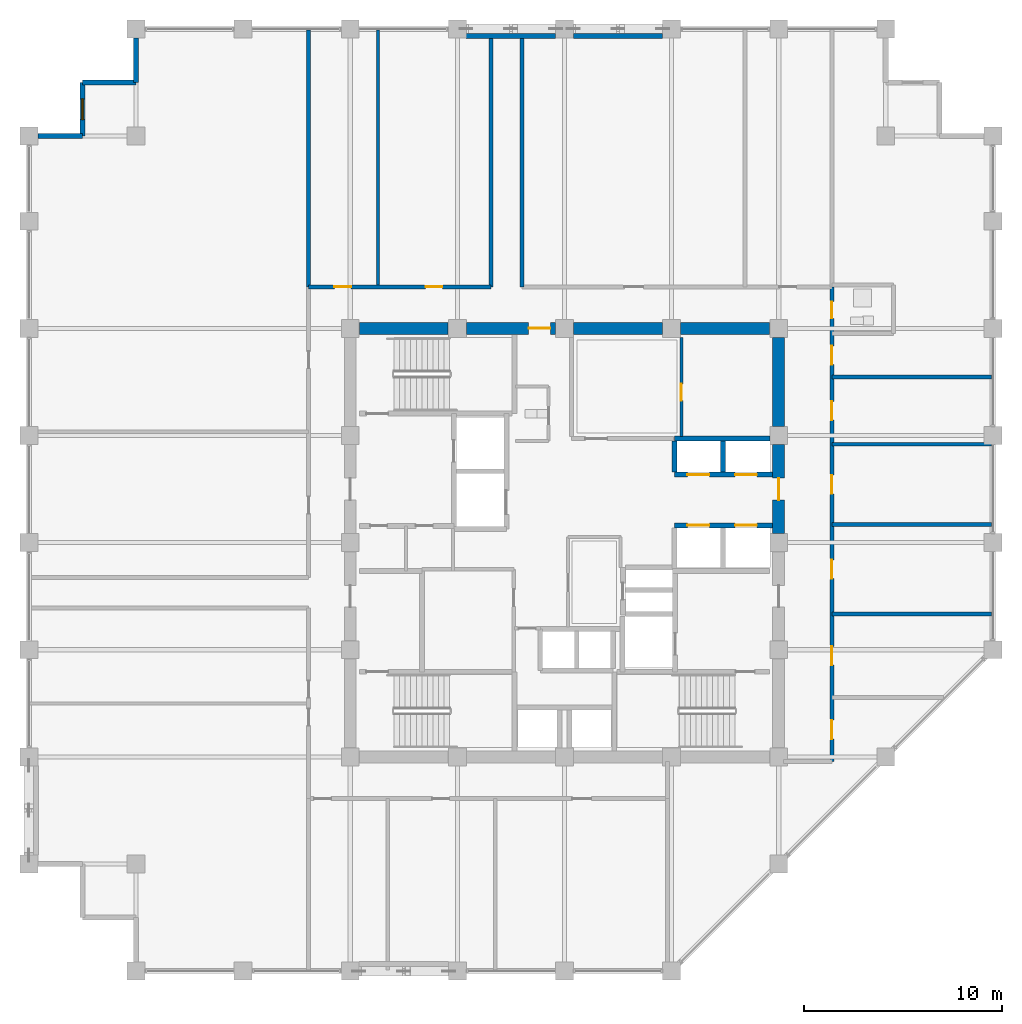
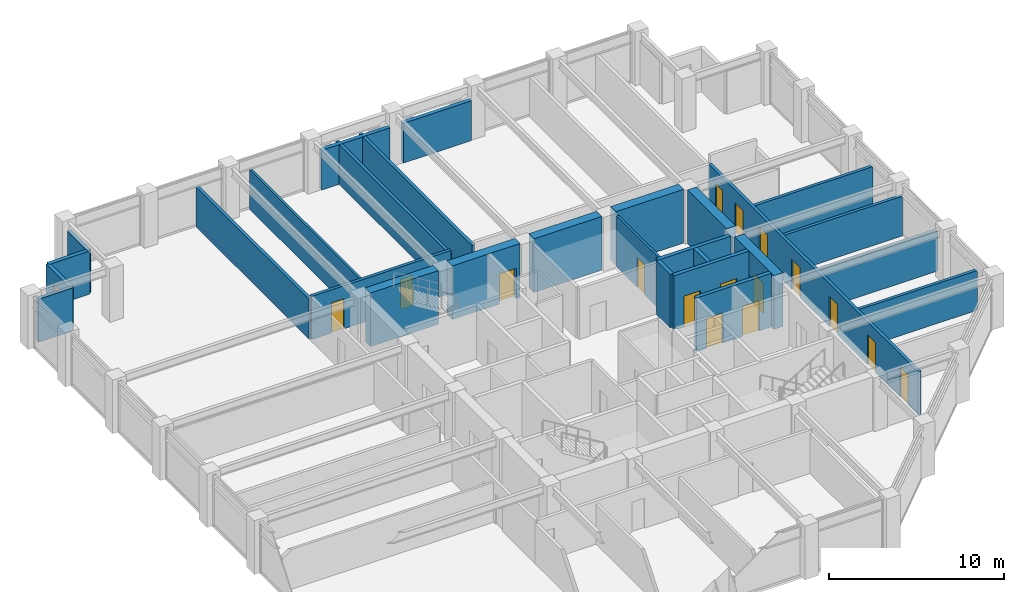
# One storey, part 29 of 32: 28 walls, 16 doors, 1 window, 17 openings.
"""IFC4 building model written with IfcOpenShell, lengths in metres."""

from ifc_helpers import new_model, si_unit, direction, frame, frame_2d, origin, place, context, subcontext, project, spatial, rectangle, extrude, material, layer, layer_set, type_object, element, fill, save


model = new_model("IFC4")

# Units and contexts
model_context = context("Model", 3, precision=1e-05, world=origin(), true_north=direction((0.0, 1.0)))
body_context = subcontext(model_context, "Body", "Model", "MODEL_VIEW")
ifc_project = project(units=[si_unit("LENGTHUNIT", "METRE"), si_unit("AREAUNIT", "SQUARE_METRE"), si_unit("VOLUMEUNIT", "CUBIC_METRE"), si_unit("PLANEANGLEUNIT", "RADIAN"), si_unit("MASSUNIT", "GRAM", prefix="KILO")], contexts=[model_context])

# Site, building, storey
site_placement = place(None, origin())
site = spatial("IfcSite", under=ifc_project, at=site_placement, CompositionType="ELEMENT")
building_placement = place(site_placement, origin())
building = spatial("IfcBuilding", under=site, at=building_placement, Name="Surkhivell Harbour Commons", CompositionType="ELEMENT")
storey_placement = place(building_placement, frame((0.0, 0.0, 204.75)))
storey = spatial("IfcBuildingStorey", under=building, at=storey_placement, Name="L53", CompositionType="ELEMENT", Elevation=204.75)

# Wall
ifc_material_1 = material(Name="Concrete C60/75", Category="concrete")
ifc_layer_1 = layer(ifc_material_1, 0.60009765625)
ifc_layer_set_1 = layer_set([ifc_layer_1], Name="Concrete C60/75")
wall_type_1 = type_object("IfcWallType", Name="WAL-CORE-600", PredefinedType="SHEAR", material=ifc_layer_set_1)
wall_1_placement = place(storey_placement, frame((-10.340087890625, 10.800048828125, 0.0), z_axis=(0.0, 0.0, 1.0), x_axis=(1.0, 0.0, 0.0)))
element("IfcWall", 1, at=wall_1_placement, inside=storey, type_object=wall_type_1, Name="L53 Core Shear Wall North 1", PredefinedType="SHEAR", context=body_context, shape_type="SweptSolid", body=[
    extrude(rectangle(XDim=4.47998046875, YDim=0.60009765625, at=frame_2d((2.239990234375, 0.0))), origin(), (0.0, 0.0, 1.0), 3.75),
])

# Wall, opening, door
wall_2_placement = place(storey_placement, frame((-4.93994140625, 10.800048828125, 0.0), z_axis=(0.0, 0.0, 1.0), x_axis=(1.0, 0.0, 0.0)))
wall_2 = element("IfcWall", 2, at=wall_2_placement, inside=storey, type_object=wall_type_1, Name="L53 Core Shear Wall North 2", PredefinedType="SHEAR", context=body_context, shape_type="SweptSolid", body=[
    extrude(rectangle(XDim=4.47998046875, YDim=0.60009765625, at=frame_2d((2.239990234375, 0.0))), origin(), (0.0, 0.0, 1.0), 3.75),
])
opening_1_placement = place(wall_2_placement, frame((3.1298828125, 0.0, 0.0)))
opening_1 = element("IfcOpeningElement", 3, at=opening_1_placement, cuts=wall_2, Name="Opening ID-2", PredefinedType="OPENING", context=body_context, shape_type="SweptSolid", body=[
    extrude(rectangle(XDim=1.10009765625, YDim=2.10009765625, at=frame_2d((0.550048828125, 1.050048828125))), frame((0.0, 0.31005859375, 0.0), z_axis=(0.0, -1.0, 0.0), x_axis=(1.0, 0.0, 0.0)), (0.0, 0.0, 1.0), 0.6201171875),
])
ifc_material_2 = material(Name="Hardwood-veneered fire-rated door leaf", Category="wood")
door_type_1 = type_object("IfcDoorType", Name="DOR-FD60-1100", OperationType="NOTDEFINED", PredefinedType="DOOR", material=ifc_material_2)
door_1_placement = place(opening_1_placement, origin())
door_1 = element("IfcDoor", 4, at=door_1_placement, inside=storey, type_object=door_type_1, Name="L53 Central Core Lift Hall North Corridor Door", OperationType="SINGLE_SWING_LEFT", OverallHeight=2.10009765625, OverallWidth=1.10009765625, PredefinedType="DOOR", context=body_context, shape_type="SweptSolid", body=[
    extrude(rectangle(XDim=1.10009765625, YDim=2.10009765625, at=frame_2d((0.550048828125, 1.050048828125))), frame((0.0, 0.02490234375, 0.0), z_axis=(0.0, -1.0, 0.0), x_axis=(1.0, 0.0, 0.0)), (0.0, 0.0, 1.0), 0.050048828125),
])
fill(opening_1, door_1)

# Wall
wall_3_placement = place(storey_placement, frame((0.4599609375, 10.800048828125, 0.0), z_axis=(0.0, 0.0, 1.0), x_axis=(1.0, 0.0, 0.0)))
element("IfcWall", 5, at=wall_3_placement, inside=storey, type_object=wall_type_1, Name="L53 Core Shear Wall North 3", PredefinedType="SHEAR", context=body_context, shape_type="SweptSolid", body=[
    extrude(rectangle(XDim=4.47998046875, YDim=0.60009765625, at=frame_2d((2.239990234375, 0.0))), origin(), (0.0, 0.0, 1.0), 3.75),
])

# Wall, opening, door
wall_4_placement = place(storey_placement, frame((10.800048828125, 0.4599609375, 0.0), z_axis=(0.0, 0.0, 1.0), x_axis=(0.0, 1.0, 0.0)))
wall_4 = element("IfcWall", 6, at=wall_4_placement, inside=storey, type_object=wall_type_1, Name="L53 Core Shear Wall East 3", PredefinedType="SHEAR", context=body_context, shape_type="SweptSolid", body=[
    extrude(rectangle(XDim=4.47998046875, YDim=0.60009765625, at=frame_2d((2.239990234375, 0.0))), origin(), (0.0, 0.0, 1.0), 3.75),
])
opening_2_placement = place(wall_4_placement, frame((1.68994140625, 0.0, 0.0)))
opening_2 = element("IfcOpeningElement", 7, at=opening_2_placement, cuts=wall_4, Name="Opening ID-2", PredefinedType="OPENING", context=body_context, shape_type="SweptSolid", body=[
    extrude(rectangle(XDim=1.10009765625, YDim=2.10009765625, at=frame_2d((0.550048828125, 1.050048828125))), frame((0.0, 0.31005859375, 0.0), z_axis=(0.0, -1.0, 0.0), x_axis=(1.0, 0.0, 0.0)), (0.0, 0.0, 1.0), 0.6201171875),
])
door_2_placement = place(opening_2_placement, origin())
door_2 = element("IfcDoor", 8, at=door_2_placement, inside=storey, type_object=door_type_1, Name="L53 Mid-Rise Lobby East Door", OperationType="SINGLE_SWING_LEFT", OverallHeight=2.10009765625, OverallWidth=1.10009765625, PredefinedType="DOOR", context=body_context, shape_type="SweptSolid", body=[
    extrude(rectangle(XDim=1.10009765625, YDim=2.10009765625, at=frame_2d((0.550048828125, 1.050048828125))), frame((0.0, 0.02490234375, 0.0), z_axis=(0.0, -1.0, 0.0), x_axis=(1.0, 0.0, 0.0)), (0.0, 0.0, 1.0), 0.050048828125),
])
fill(opening_2, door_2)

# Walls
for number, where, z_axis, x_axis, name in (
    (9, (5.860107421875, 10.800048828125, 0.0), (0.0, 0.0, 1.0), (1.0, 0.0, 0.0), "L53 Core Shear Wall North 4"),
    (10, (10.800048828125, 5.860107421875, 0.0), (0.0, 0.0, 1.0), (0.0, 1.0, 0.0), "L53 Core Shear Wall East 4"),
):
    element("IfcWall", number, at=place(storey_placement, frame(where, z_axis=z_axis, x_axis=x_axis)), inside=storey, type_object=wall_type_1, Name=name, PredefinedType="SHEAR", context=body_context, shape_type="SweptSolid", body=[
        extrude(rectangle(XDim=4.47998046875, YDim=0.60009765625, at=frame_2d((2.239990234375, 0.0))), origin(), (0.0, 0.0, 1.0), 3.75),
    ])
ifc_material_3 = material(Name="Pale-metal insulated precast concrete C45/55", Category="concrete")
ifc_layer_2 = layer(ifc_material_3, 0.260009765625)
ifc_layer_set_2 = layer_set([ifc_layer_2], Name="Pale-metal insulated precast concrete C45/55")
wall_type_2 = type_object("IfcWallType", Name="WAL-EXT-MTL260", PredefinedType="STANDARD", material=ifc_layer_set_2)
for number, where, z_axis, x_axis, name in (
    (11, (-0.447998046875, 25.5400390625, 0.0), (0.0, 0.0, 1.0), (-1.0, 0.0, 0.0), "L53 Braced-Bay Insulated Spandrel Backing N"),
    (12, (4.951904296875, 25.5400390625, 0.0), (0.0, 0.0, 1.0), (-1.0, 0.0, 0.0), "L53 Braced-Bay Insulated Spandrel Backing N2"),
):
    element("IfcWall", number, at=place(storey_placement, frame(where, z_axis=z_axis, x_axis=x_axis)), inside=storey, type_object=wall_type_2, Name=name, PredefinedType="STANDARD", context=body_context, shape_type="SweptSolid", body=[
        extrude(rectangle(XDim=4.50390625, YDim=0.260009765625, at=frame_2d((2.251953125, 0.0))), origin(), (0.0, 0.0, 1.0), 2.780029296875),
    ])
wall_5_placement = place(storey_placement, frame((-21.60009765625, 25.451904296875, 0.0), z_axis=(0.0, 0.0, 1.0), x_axis=(0.0, -1.0, 0.0)))
element("IfcWall", 13, at=wall_5_placement, inside=storey, type_object=wall_type_2, Name="L53 Serrated Corner Facade Wall 08", PredefinedType="STANDARD", context=body_context, shape_type="SweptSolid", body=[
    extrude(rectangle(XDim=2.251953125, YDim=0.260009765625, at=frame_2d((1.1259765625, 0.0))), origin(), (0.0, 0.0, 1.0), 3.006103515625),
])
wall_6_placement = place(storey_placement, frame((-21.60009765625, 23.199951171875, 0.0), z_axis=(0.0, 0.0, 1.0), x_axis=(-1.0, 0.0, 0.0)))
element("IfcWall", 14, at=wall_6_placement, inside=storey, type_object=wall_type_2, Name="L53 Serrated Corner Facade Wall 09", PredefinedType="STANDARD", context=body_context, shape_type="SweptSolid", body=[
    extrude(rectangle(XDim=2.699951171875, YDim=0.260009765625, at=frame_2d((1.35009765625, 0.0))), origin(), (0.0, 0.0, 1.0), 3.006103515625),
])

# Wall, opening, window
wall_7_placement = place(storey_placement, frame((-24.300048828125, 23.199951171875, 0.0), z_axis=(0.0, 0.0, 1.0), x_axis=(0.0, -1.0, 0.0)))
wall_7 = element("IfcWall", 15, at=wall_7_placement, inside=storey, type_object=wall_type_2, Name="L53 Serrated Corner Facade Wall 10", PredefinedType="STANDARD", context=body_context, shape_type="SweptSolid", body=[
    extrude(rectangle(XDim=2.699951171875, YDim=0.260009765625, at=frame_2d((1.35009765625, 0.0))), origin(), (0.0, 0.0, 1.0), 3.006103515625),
])
opening_3_placement = place(wall_7_placement, frame((0.824951171875, 0.0, 0.64990234375)))
opening_3 = element("IfcOpeningElement", 16, at=opening_3_placement, cuts=wall_7, Name="Opening WN-11", PredefinedType="OPENING", context=body_context, shape_type="SweptSolid", body=[
    extrude(rectangle(XDim=1.050048828125, YDim=1.5, at=frame_2d((0.52490234375, 0.75))), frame((0.0, 0.139892578125, 0.0), z_axis=(0.0, -1.0, 0.0), x_axis=(1.0, 0.0, 0.0)), (0.0, 0.0, 1.0), 0.280029296875),
])
ifc_material_4 = material(Name="Thermal-break aluminium frame and double low-E glazing", Category="aluminium")
window_type = type_object("IfcWindowType", Name="WIN-SER-1050x1500", PartitioningType="SINGLE_PANEL", PredefinedType="WINDOW", material=ifc_material_4)
window_placement = place(opening_3_placement, origin())
window = element("IfcWindow", 17, at=window_placement, inside=storey, type_object=window_type, Name="L53 Serrated Alcove Window 10", OverallHeight=1.5, OverallWidth=1.050048828125, PartitioningType="SINGLE_PANEL", PredefinedType="WINDOW", context=body_context, shape_type="SweptSolid", body=[
    extrude(rectangle(XDim=1.050048828125, YDim=1.5, at=frame_2d((0.52490234375, 0.75))), frame((0.0, 0.030029296875, 0.0), z_axis=(0.0, -1.0, 0.0), x_axis=(1.0, 0.0, 0.0)), (0.0, 0.0, 1.0), 0.06005859375),
])
fill(opening_3, window)

# Wall
wall_8_placement = place(storey_placement, frame((-24.300048828125, 20.5, 0.0), z_axis=(0.0, 0.0, 1.0), x_axis=(-1.0, 0.0, 0.0)))
element("IfcWall", 18, at=wall_8_placement, inside=storey, type_object=wall_type_2, Name="L53 Serrated Corner Facade Wall 11", PredefinedType="STANDARD", context=body_context, shape_type="SweptSolid", body=[
    extrude(rectangle(XDim=2.251953125, YDim=0.260009765625, at=frame_2d((1.1259765625, 0.0))), origin(), (0.0, 0.0, 1.0), 3.006103515625),
])

# Wall, opening, door
ifc_material_5 = material(Name="Twin-stud acoustic fireboard partition", Category="other")
ifc_layer_3 = layer(ifc_material_5, 0.14990234375)
ifc_layer_set_3 = layer_set([ifc_layer_3], Name="Twin-stud acoustic fireboard partition")
wall_type_3 = type_object("IfcWallType", Name="WAL-INT-150", PredefinedType="PARTITIONING", material=ifc_layer_set_3)
wall_9_placement = place(storey_placement, frame((5.89990234375, 5.360107421875, 0.0), z_axis=(0.0, 0.0, 1.0), x_axis=(0.0, 1.0, 0.0)))
wall_9 = element("IfcWall", 19, at=wall_9_placement, inside=storey, type_object=wall_type_3, Name="L53 Study Pod Wall 1", PredefinedType="PARTITIONING", context=body_context, shape_type="SweptSolid", body=[
    extrude(rectangle(XDim=4.97998046875, YDim=0.14990234375, at=frame_2d((2.489990234375, 0.0))), origin(), (0.0, 0.0, 1.0), 3.570068359375),
])
opening_4_placement = place(wall_9_placement, frame((1.800048828125, 0.0, 0.0)))
opening_4 = element("IfcOpeningElement", 20, at=opening_4_placement, cuts=wall_9, Name="Opening ID-6", PredefinedType="OPENING", context=body_context, shape_type="SweptSolid", body=[
    extrude(rectangle(XDim=0.85009765625, YDim=2.10009765625, at=frame_2d((0.425048828125, 1.050048828125))), frame((0.0, 0.0849609375, 0.0), z_axis=(0.0, -1.0, 0.0), x_axis=(1.0, 0.0, 0.0)), (0.0, 0.0, 1.0), 0.169921875),
])
door_type_2 = type_object("IfcDoorType", Name="DOR-FD30-850", OperationType="NOTDEFINED", PredefinedType="DOOR", material=ifc_material_2)
door_3_placement = place(opening_4_placement, origin())
door_3 = element("IfcDoor", 21, at=door_3_placement, inside=storey, type_object=door_type_2, Name="L53 Core Music Door", OperationType="SINGLE_SWING_RIGHT", OverallHeight=2.10009765625, OverallWidth=0.85009765625, PredefinedType="DOOR", context=body_context, shape_type="SweptSolid", body=[
    extrude(rectangle(XDim=0.85009765625, YDim=2.10009765625, at=frame_2d((0.425048828125, 1.050048828125))), frame((0.0, 0.02490234375, 0.0), z_axis=(0.0, -1.0, 0.0), x_axis=(1.0, 0.0, 0.0)), (0.0, 0.0, 1.0), 0.050048828125),
])
fill(opening_4, door_3)

# Walls
wall_10_placement = place(storey_placement, frame((-9.39990234375, 12.89990234375, 0.0), z_axis=(0.0, 0.0, 1.0), x_axis=(0.0, 1.0, 0.0)))
element("IfcWall", 22, at=wall_10_placement, inside=storey, type_object=wall_type_3, Name="L53 North-West Partition P1", PredefinedType="PARTITIONING", context=body_context, shape_type="SweptSolid", body=[
    extrude(rectangle(XDim=12.940185546875, YDim=0.14990234375, at=frame_2d((6.47021484375, 0.0))), origin(), (0.0, 0.0, 1.0), 2.780029296875),
])
ifc_material_6 = material(Name="Autoclaved aerated concrete blockwork and fire plaster", Category="masonry")
ifc_layer_4 = layer(ifc_material_6, 0.199951171875)
ifc_layer_set_4 = layer_set([ifc_layer_4], Name="Autoclaved aerated concrete blockwork and fire plaster")
wall_type_4 = type_object("IfcWallType", Name="WAL-INT-200", PredefinedType="PARTITIONING", material=ifc_layer_set_4)
wall_11_placement = place(storey_placement, frame((-12.89990234375, 12.89990234375, 0.0), z_axis=(0.0, 0.0, 1.0), x_axis=(0.0, 1.0, 0.0)))
element("IfcWall", 23, at=wall_11_placement, inside=storey, type_object=wall_type_4, Name="L53 North-West Corner Wall", PredefinedType="PARTITIONING", context=body_context, shape_type="SweptSolid", body=[
    extrude(rectangle(XDim=12.940185546875, YDim=0.199951171875, at=frame_2d((6.47021484375, 0.0))), origin(), (0.0, 0.0, 1.0), 2.780029296875),
])

# Wall, openings, doors
wall_12_placement = place(storey_placement, frame((13.47998046875, -11.0400390625, 0.0), z_axis=(0.0, 0.0, 1.0), x_axis=(0.0, 1.0, 0.0)))
wall_12 = element("IfcWall", 24, at=wall_12_placement, inside=storey, type_object=wall_type_4, Name="L53 Corridor East Wall", PredefinedType="PARTITIONING", context=body_context, shape_type="SweptSolid", body=[
    extrude(rectangle(XDim=23.93994140625, YDim=0.199951171875, at=frame_2d((11.969970703125, 0.0))), origin(), (0.0, 0.0, 1.0), 3.006103515625),
])
opening_5_placement = place(wall_12_placement, frame((1.139892578125, 0.0, 0.0)))
opening_5 = element("IfcOpeningElement", 25, at=opening_5_placement, cuts=wall_12, Name="Opening ID-4", PredefinedType="OPENING", context=body_context, shape_type="SweptSolid", body=[
    extrude(rectangle(XDim=0.949951171875, YDim=2.10009765625, at=frame_2d((0.47509765625, 1.050048828125))), frame((0.0, 0.10986328125, 0.0), z_axis=(0.0, -1.0, 0.0), x_axis=(1.0, 0.0, 0.0)), (0.0, 0.0, 1.0), 0.219970703125),
])
opening_6_placement = place(wall_12_placement, frame((22.344970703125, 0.0, 0.0)))
opening_6 = element("IfcOpeningElement", 26, at=opening_6_placement, cuts=wall_12, Name="Opening ID-6", PredefinedType="OPENING", context=body_context, shape_type="SweptSolid", body=[
    extrude(rectangle(XDim=0.85009765625, YDim=2.10009765625, at=frame_2d((0.425048828125, 1.050048828125))), frame((0.0, 0.10986328125, 0.0), z_axis=(0.0, -1.0, 0.0), x_axis=(1.0, 0.0, 0.0)), (0.0, 0.0, 1.0), 0.219970703125),
])
opening_7_placement = place(wall_12_placement, frame((20.010009765625, 0.0, 0.0)))
opening_7 = element("IfcOpeningElement", 27, at=opening_7_placement, cuts=wall_12, Name="Opening ID-4", PredefinedType="OPENING", context=body_context, shape_type="SweptSolid", body=[
    extrude(rectangle(XDim=0.949951171875, YDim=2.10009765625, at=frame_2d((0.47509765625, 1.050048828125))), frame((0.0, 0.10986328125, 0.0), z_axis=(0.0, -1.0, 0.0), x_axis=(1.0, 0.0, 0.0)), (0.0, 0.0, 1.0), 0.219970703125),
])
opening_8_placement = place(wall_12_placement, frame((4.860107421875, 0.0, 0.0)))
opening_8 = element("IfcOpeningElement", 28, at=opening_8_placement, cuts=wall_12, Name="Opening ID-4", PredefinedType="OPENING", context=body_context, shape_type="SweptSolid", body=[
    extrude(rectangle(XDim=0.949951171875, YDim=2.10009765625, at=frame_2d((0.47509765625, 1.050048828125))), frame((0.0, 0.10986328125, 0.0), z_axis=(0.0, -1.0, 0.0), x_axis=(1.0, 0.0, 0.0)), (0.0, 0.0, 1.0), 0.219970703125),
])
opening_9_placement = place(wall_12_placement, frame((9.219970703125, 0.0, 0.0)))
opening_9 = element("IfcOpeningElement", 29, at=opening_9_placement, cuts=wall_12, Name="Opening ID-4", PredefinedType="OPENING", context=body_context, shape_type="SweptSolid", body=[
    extrude(rectangle(XDim=0.949951171875, YDim=2.10009765625, at=frame_2d((0.47509765625, 1.050048828125))), frame((0.0, 0.10986328125, 0.0), z_axis=(0.0, -1.0, 0.0), x_axis=(1.0, 0.0, 0.0)), (0.0, 0.0, 1.0), 0.219970703125),
])
opening_10_placement = place(wall_12_placement, frame((13.5, 0.0, 0.0)))
opening_10 = element("IfcOpeningElement", 30, at=opening_10_placement, cuts=wall_12, Name="Opening ID-4", PredefinedType="OPENING", context=body_context, shape_type="SweptSolid", body=[
    extrude(rectangle(XDim=0.949951171875, YDim=2.10009765625, at=frame_2d((0.47509765625, 1.050048828125))), frame((0.0, 0.10986328125, 0.0), z_axis=(0.0, -1.0, 0.0), x_axis=(1.0, 0.0, 0.0)), (0.0, 0.0, 1.0), 0.219970703125),
])
opening_11_placement = place(wall_12_placement, frame((17.215087890625, 0.0, 0.0)))
opening_11 = element("IfcOpeningElement", 31, at=opening_11_placement, cuts=wall_12, Name="Opening ID-4", PredefinedType="OPENING", context=body_context, shape_type="SweptSolid", body=[
    extrude(rectangle(XDim=0.949951171875, YDim=2.10009765625, at=frame_2d((0.47509765625, 1.050048828125))), frame((0.0, 0.10986328125, 0.0), z_axis=(0.0, -1.0, 0.0), x_axis=(1.0, 0.0, 0.0)), (0.0, 0.0, 1.0), 0.219970703125),
])
door_4_placement = place(opening_6_placement, origin())
door_4 = element("IfcDoor", 32, at=door_4_placement, inside=storey, type_object=door_type_2, Name="L53 Communal Shower Bathroom East Door", OperationType="SINGLE_SWING_RIGHT", OverallHeight=2.10009765625, OverallWidth=0.85009765625, PredefinedType="DOOR", context=body_context, shape_type="SweptSolid", body=[
    extrude(rectangle(XDim=0.85009765625, YDim=2.10009765625, at=frame_2d((0.425048828125, 1.050048828125))), frame((0.0, 0.02490234375, 0.0), z_axis=(0.0, -1.0, 0.0), x_axis=(1.0, 0.0, 0.0)), (0.0, 0.0, 1.0), 0.050048828125),
])
fill(opening_6, door_4)
door_type_3 = type_object("IfcDoorType", Name="DOR-FD60-950", OperationType="NOTDEFINED", PredefinedType="DOOR", material=ifc_material_2)
door_5_placement = place(opening_5_placement, origin())
door_5 = element("IfcDoor", 33, at=door_5_placement, inside=storey, type_object=door_type_3, Name="L53 Shared Communal Kitchen East Door", OperationType="SINGLE_SWING_LEFT", OverallHeight=2.10009765625, OverallWidth=0.949951171875, PredefinedType="DOOR", context=body_context, shape_type="SweptSolid", body=[
    extrude(rectangle(XDim=0.949951171875, YDim=2.10009765625, at=frame_2d((0.47509765625, 1.050048828125))), frame((0.0, 0.02490234375, 0.0), z_axis=(0.0, -1.0, 0.0), x_axis=(1.0, 0.0, 0.0)), (0.0, 0.0, 1.0), 0.050048828125),
])
fill(opening_5, door_5)
door_6_placement = place(opening_7_placement, origin())
door_6 = element("IfcDoor", 34, at=door_6_placement, inside=storey, type_object=door_type_3, Name="L53 Academic Reading Commons East Door", OperationType="SINGLE_SWING_LEFT", OverallHeight=2.10009765625, OverallWidth=0.949951171875, PredefinedType="DOOR", context=body_context, shape_type="SweptSolid", body=[
    extrude(rectangle(XDim=0.949951171875, YDim=2.10009765625, at=frame_2d((0.47509765625, 1.050048828125))), frame((0.0, 0.02490234375, 0.0), z_axis=(0.0, -1.0, 0.0), x_axis=(1.0, 0.0, 0.0)), (0.0, 0.0, 1.0), 0.050048828125),
])
fill(opening_7, door_6)
door_7_placement = place(opening_8_placement, origin())
door_7 = element("IfcDoor", 35, at=door_7_placement, inside=storey, type_object=door_type_3, Name="L53 Hostel Cluster Bedroom 1 East Door", OperationType="SINGLE_SWING_RIGHT", OverallHeight=2.10009765625, OverallWidth=0.949951171875, PredefinedType="DOOR", context=body_context, shape_type="SweptSolid", body=[
    extrude(rectangle(XDim=0.949951171875, YDim=2.10009765625, at=frame_2d((0.47509765625, 1.050048828125))), frame((0.0, 0.02490234375, 0.0), z_axis=(0.0, -1.0, 0.0), x_axis=(1.0, 0.0, 0.0)), (0.0, 0.0, 1.0), 0.050048828125),
])
fill(opening_8, door_7)
door_8_placement = place(opening_9_placement, origin())
door_8 = element("IfcDoor", 36, at=door_8_placement, inside=storey, type_object=door_type_3, Name="L53 Co-Living Dormitory Bedroom 2 East Door", OperationType="SINGLE_SWING_LEFT", OverallHeight=2.10009765625, OverallWidth=0.949951171875, PredefinedType="DOOR", context=body_context, shape_type="SweptSolid", body=[
    extrude(rectangle(XDim=0.949951171875, YDim=2.10009765625, at=frame_2d((0.47509765625, 1.050048828125))), frame((0.0, 0.02490234375, 0.0), z_axis=(0.0, -1.0, 0.0), x_axis=(1.0, 0.0, 0.0)), (0.0, 0.0, 1.0), 0.050048828125),
])
fill(opening_9, door_8)
door_9_placement = place(opening_10_placement, origin())
door_9 = element("IfcDoor", 37, at=door_9_placement, inside=storey, type_object=door_type_3, Name="L53 Hostel Cluster Bedroom 3 East Door", OperationType="SINGLE_SWING_RIGHT", OverallHeight=2.10009765625, OverallWidth=0.949951171875, PredefinedType="DOOR", context=body_context, shape_type="SweptSolid", body=[
    extrude(rectangle(XDim=0.949951171875, YDim=2.10009765625, at=frame_2d((0.47509765625, 1.050048828125))), frame((0.0, 0.02490234375, 0.0), z_axis=(0.0, -1.0, 0.0), x_axis=(1.0, 0.0, 0.0)), (0.0, 0.0, 1.0), 0.050048828125),
])
fill(opening_10, door_9)
door_10_placement = place(opening_11_placement, origin())
door_10 = element("IfcDoor", 38, at=door_10_placement, inside=storey, type_object=door_type_3, Name="L53 Co-Living Dormitory Bedroom 4 East Door", OperationType="SINGLE_SWING_LEFT", OverallHeight=2.10009765625, OverallWidth=0.949951171875, PredefinedType="DOOR", context=body_context, shape_type="SweptSolid", body=[
    extrude(rectangle(XDim=0.949951171875, YDim=2.10009765625, at=frame_2d((0.47509765625, 1.050048828125))), frame((0.0, 0.02490234375, 0.0), z_axis=(0.0, -1.0, 0.0), x_axis=(1.0, 0.0, 0.0)), (0.0, 0.0, 1.0), 0.050048828125),
])
fill(opening_11, door_10)

wall_13_placement = place(storey_placement, frame((-12.89990234375, 12.89990234375, 0.0), z_axis=(0.0, 0.0, 1.0), x_axis=(1.0, 0.0, 0.0)))
wall_13 = element("IfcWall", 39, at=wall_13_placement, inside=storey, type_object=wall_type_4, Name="L53 Corridor North-West Wall", PredefinedType="PARTITIONING", context=body_context, shape_type="SweptSolid", body=[
    extrude(rectangle(XDim=9.199951171875, YDim=0.199951171875, at=frame_2d((4.60009765625, 0.0))), origin(), (0.0, 0.0, 1.0), 3.006103515625),
])
opening_12_placement = place(wall_13_placement, frame((1.300048828125, 0.0, 0.0)))
opening_12 = element("IfcOpeningElement", 40, at=opening_12_placement, cuts=wall_13, Name="Opening ID-6", PredefinedType="OPENING", context=body_context, shape_type="SweptSolid", body=[
    extrude(rectangle(XDim=0.85009765625, YDim=2.10009765625, at=frame_2d((0.425048828125, 1.050048828125))), frame((0.0, 0.10986328125, 0.0), z_axis=(0.0, -1.0, 0.0), x_axis=(1.0, 0.0, 0.0)), (0.0, 0.0, 1.0), 0.219970703125),
])
opening_13_placement = place(wall_13_placement, frame((5.89990234375, 0.0, 0.0)))
opening_13 = element("IfcOpeningElement", 41, at=opening_13_placement, cuts=wall_13, Name="Opening ID-6", PredefinedType="OPENING", context=body_context, shape_type="SweptSolid", body=[
    extrude(rectangle(XDim=0.85009765625, YDim=2.10009765625, at=frame_2d((0.425048828125, 1.050048828125))), frame((0.0, 0.10986328125, 0.0), z_axis=(0.0, -1.0, 0.0), x_axis=(1.0, 0.0, 0.0)), (0.0, 0.0, 1.0), 0.219970703125),
])
door_11_placement = place(opening_12_placement, origin())
door_11 = element("IfcDoor", 42, at=door_11_placement, inside=storey, type_object=door_type_2, Name="L53 Harbour Reading Library North-West Door", OperationType="SINGLE_SWING_LEFT", OverallHeight=2.10009765625, OverallWidth=0.85009765625, PredefinedType="DOOR", context=body_context, shape_type="SweptSolid", body=[
    extrude(rectangle(XDim=0.85009765625, YDim=2.10009765625, at=frame_2d((0.425048828125, 1.050048828125))), frame((0.0, 0.02490234375, 0.0), z_axis=(0.0, -1.0, 0.0), x_axis=(1.0, 0.0, 0.0)), (0.0, 0.0, 1.0), 0.050048828125),
])
fill(opening_12, door_11)
door_12_placement = place(opening_13_placement, origin())
door_12 = element("IfcDoor", 43, at=door_12_placement, inside=storey, type_object=door_type_2, Name="L53 Communal Dining Hall North-West Door", OperationType="SINGLE_SWING_RIGHT", OverallHeight=2.10009765625, OverallWidth=0.85009765625, PredefinedType="DOOR", context=body_context, shape_type="SweptSolid", body=[
    extrude(rectangle(XDim=0.85009765625, YDim=2.10009765625, at=frame_2d((0.425048828125, 1.050048828125))), frame((0.0, 0.02490234375, 0.0), z_axis=(0.0, -1.0, 0.0), x_axis=(1.0, 0.0, 0.0)), (0.0, 0.0, 1.0), 0.050048828125),
])
fill(opening_13, door_12)

# Walls
for number, where, z_axis, x_axis, name in (
    (44, (-2.14990234375, 12.89990234375, 0.0), (0.0, 0.0, 1.0), (0.0, 1.0, 0.0), "L53 North Spur East Wall"),
    (45, (-3.699951171875, 12.89990234375, 0.0), (0.0, 0.0, 1.0), (0.0, 1.0, 0.0), "L53 North Spur West Wall"),
):
    element("IfcWall", number, at=place(storey_placement, frame(where, z_axis=z_axis, x_axis=x_axis)), inside=storey, type_object=wall_type_4, Name=name, PredefinedType="PARTITIONING", context=body_context, shape_type="SweptSolid", body=[
        extrude(rectangle(XDim=12.940185546875, YDim=0.199951171875, at=frame_2d((6.47021484375, 0.0))), origin(), (0.0, 0.0, 1.0), 2.780029296875),
    ])
for number, where, z_axis, x_axis, name in (
    (46, (13.47998046875, -3.60009765625, 0.0), (0.0, 0.0, 1.0), (1.0, 0.0, 0.0), "L53 East Partition BDP1"),
    (47, (13.47998046875, 0.919921875, 0.0), (0.0, 0.0, 1.0), (1.0, 0.0, 0.0), "L53 East Partition BDP2"),
    (48, (13.47998046875, 4.9599609375, 0.0), (0.0, 0.0, 1.0), (1.0, 0.0, 0.0), "L53 East Partition BDP3"),
    (49, (13.47998046875, 8.35009765625, 0.0), (0.0, 0.0, 1.0), (1.0, 0.0, 0.0), "L53 East Partition PTOP"),
):
    element("IfcWall", number, at=place(storey_placement, frame(where, z_axis=z_axis, x_axis=x_axis)), inside=storey, type_object=wall_type_4, Name=name, PredefinedType="PARTITIONING", context=body_context, shape_type="SweptSolid", body=[
        extrude(rectangle(XDim=8.06005859375, YDim=0.199951171875, at=frame_2d((4.030029296875, 0.0))), origin(), (0.0, 0.0, 1.0), 2.780029296875),
    ])
ifc_material_7 = material(Name="Concrete C50/60", Category="concrete")
ifc_layer_5 = layer(ifc_material_7, 0.25)
ifc_layer_set_5 = layer_set([ifc_layer_5], Name="Concrete C50/60")
wall_type_5 = type_object("IfcWallType", Name="WAL-SHAFT-250", PredefinedType="SHEAR", material=ifc_layer_set_5)
for number, where, z_axis, x_axis, name in (
    (50, (5.550048828125, 3.550048828125, 0.0), (0.0, 0.0, 1.0), (0.0, 1.0, 0.0), "L53 Mid-Rise Shaft Side Wall N"),
    (51, (8.0, 3.550048828125, 0.0), (0.0, 0.0, 1.0), (0.0, 1.0, 0.0), "L53 Mid-Rise Shaft Side Wall N"),
):
    element("IfcWall", number, at=place(storey_placement, frame(where, z_axis=z_axis, x_axis=x_axis)), inside=storey, type_object=wall_type_5, Name=name, PredefinedType="SHEAR", context=body_context, shape_type="SweptSolid", body=[
        extrude(rectangle(XDim=1.570068359375, YDim=0.25, at=frame_2d((0.78515625, 0.0))), origin(), (0.0, 0.0, 1.0), 3.75),
    ])

# Wall, openings, doors
wall_14_placement = place(storey_placement, frame((5.550048828125, 3.429931640625, 0.0), z_axis=(0.0, 0.0, 1.0), x_axis=(1.0, 0.0, 0.0)))
wall_14 = element("IfcWall", 52, at=wall_14_placement, inside=storey, type_object=wall_type_5, Name="L53 Mid-Rise North Front Shaft Wall", PredefinedType="SHEAR", context=body_context, shape_type="SweptSolid", body=[
    extrude(rectangle(XDim=4.949951171875, YDim=0.25, at=frame_2d((2.47509765625, 0.0))), origin(), (0.0, 0.0, 1.0), 3.75),
])
opening_14_placement = place(wall_14_placement, frame((0.64990234375, 0.0, 0.0)))
opening_14 = element("IfcOpeningElement", 53, at=opening_14_placement, cuts=wall_14, Name="Opening LD-1", PredefinedType="OPENING", context=body_context, shape_type="SweptSolid", body=[
    extrude(rectangle(XDim=1.10009765625, YDim=2.10009765625, at=frame_2d((0.550048828125, 1.050048828125))), frame((0.0, 0.135009765625, 0.0), z_axis=(0.0, -1.0, 0.0), x_axis=(1.0, 0.0, 0.0)), (0.0, 0.0, 1.0), 0.27001953125),
])
opening_15_placement = place(wall_14_placement, frame((3.050048828125, 0.0, 0.0)))
opening_15 = element("IfcOpeningElement", 54, at=opening_15_placement, cuts=wall_14, Name="Opening LD-1", PredefinedType="OPENING", context=body_context, shape_type="SweptSolid", body=[
    extrude(rectangle(XDim=1.10009765625, YDim=2.10009765625, at=frame_2d((0.550048828125, 1.050048828125))), frame((0.0, 0.135009765625, 0.0), z_axis=(0.0, -1.0, 0.0), x_axis=(1.0, 0.0, 0.0)), (0.0, 0.0, 1.0), 0.27001953125),
])
ifc_material_8 = material(Name="Brushed stainless steel S355", Category="steel")
door_type_4 = type_object("IfcDoorType", Name="DOR-LD-1100", OperationType="SLIDING_TO_LEFT", PredefinedType="DOOR", material=ifc_material_8)
door_13_placement = place(opening_14_placement, origin())
door_13 = element("IfcDoor", 55, at=door_13_placement, inside=storey, type_object=door_type_4, Name="L53 Lift Landing Door LD-PM1", OperationType="SLIDING_TO_RIGHT", OverallHeight=2.10009765625, OverallWidth=1.10009765625, PredefinedType="DOOR", context=body_context, shape_type="SweptSolid", body=[
    extrude(rectangle(XDim=1.10009765625, YDim=2.10009765625, at=frame_2d((0.550048828125, 1.050048828125))), frame((0.0, 0.02490234375, 0.0), z_axis=(0.0, -1.0, 0.0), x_axis=(1.0, 0.0, 0.0)), (0.0, 0.0, 1.0), 0.050048828125),
])
fill(opening_14, door_13)
door_14_placement = place(opening_15_placement, origin())
door_14 = element("IfcDoor", 56, at=door_14_placement, inside=storey, type_object=door_type_4, Name="L53 Lift Landing Door LD-PM2", OperationType="SLIDING_TO_RIGHT", OverallHeight=2.10009765625, OverallWidth=1.10009765625, PredefinedType="DOOR", context=body_context, shape_type="SweptSolid", body=[
    extrude(rectangle(XDim=1.10009765625, YDim=2.10009765625, at=frame_2d((0.550048828125, 1.050048828125))), frame((0.0, 0.02490234375, 0.0), z_axis=(0.0, -1.0, 0.0), x_axis=(1.0, 0.0, 0.0)), (0.0, 0.0, 1.0), 0.050048828125),
])
fill(opening_15, door_14)

# Wall
wall_15_placement = place(storey_placement, frame((5.550048828125, 5.239990234375, 0.0), z_axis=(0.0, 0.0, 1.0), x_axis=(1.0, 0.0, 0.0)))
element("IfcWall", 57, at=wall_15_placement, inside=storey, type_object=wall_type_5, Name="L53 Mid-Rise North Back Shaft Wall", PredefinedType="SHEAR", context=body_context, shape_type="SweptSolid", body=[
    extrude(rectangle(XDim=4.800048828125, YDim=0.25, at=frame_2d((2.39990234375, 0.0))), origin(), (0.0, 0.0, 1.0), 3.75),
])

# Wall, openings, doors
wall_16_placement = place(storey_placement, frame((5.550048828125, 0.8701171875, 0.0), z_axis=(0.0, 0.0, 1.0), x_axis=(1.0, 0.0, 0.0)))
wall_16 = element("IfcWall", 58, at=wall_16_placement, inside=storey, type_object=wall_type_5, Name="L53 Mid-Rise South Front Shaft Wall", PredefinedType="SHEAR", context=body_context, shape_type="SweptSolid", body=[
    extrude(rectangle(XDim=4.949951171875, YDim=0.25, at=frame_2d((2.47509765625, 0.0))), origin(), (0.0, 0.0, 1.0), 3.75),
])
opening_16_placement = place(wall_16_placement, frame((0.64990234375, 0.0, 0.0)))
opening_16 = element("IfcOpeningElement", 59, at=opening_16_placement, cuts=wall_16, Name="Opening LD-1", PredefinedType="OPENING", context=body_context, shape_type="SweptSolid", body=[
    extrude(rectangle(XDim=1.10009765625, YDim=2.10009765625, at=frame_2d((0.550048828125, 1.050048828125))), frame((0.0, 0.135009765625, 0.0), z_axis=(0.0, -1.0, 0.0), x_axis=(1.0, 0.0, 0.0)), (0.0, 0.0, 1.0), 0.27001953125),
])
opening_17_placement = place(wall_16_placement, frame((3.050048828125, 0.0, 0.0)))
opening_17 = element("IfcOpeningElement", 60, at=opening_17_placement, cuts=wall_16, Name="Opening LD-1", PredefinedType="OPENING", context=body_context, shape_type="SweptSolid", body=[
    extrude(rectangle(XDim=1.10009765625, YDim=2.10009765625, at=frame_2d((0.550048828125, 1.050048828125))), frame((0.0, 0.135009765625, 0.0), z_axis=(0.0, -1.0, 0.0), x_axis=(1.0, 0.0, 0.0)), (0.0, 0.0, 1.0), 0.27001953125),
])
door_15_placement = place(opening_16_placement, origin())
door_15 = element("IfcDoor", 61, at=door_15_placement, inside=storey, type_object=door_type_4, Name="L53 Lift Landing Door LD-PM3", OperationType="SLIDING_TO_RIGHT", OverallHeight=2.10009765625, OverallWidth=1.10009765625, PredefinedType="DOOR", context=body_context, shape_type="SweptSolid", body=[
    extrude(rectangle(XDim=1.10009765625, YDim=2.10009765625, at=frame_2d((0.550048828125, 1.050048828125))), frame((0.0, 0.02490234375, 0.0), z_axis=(0.0, -1.0, 0.0), x_axis=(1.0, 0.0, 0.0)), (0.0, 0.0, 1.0), 0.050048828125),
])
fill(opening_16, door_15)
door_16_placement = place(opening_17_placement, origin())
door_16 = element("IfcDoor", 62, at=door_16_placement, inside=storey, type_object=door_type_4, Name="L53 Lift Landing Door LD-PM4", OperationType="SLIDING_TO_RIGHT", OverallHeight=2.10009765625, OverallWidth=1.10009765625, PredefinedType="DOOR", context=body_context, shape_type="SweptSolid", body=[
    extrude(rectangle(XDim=1.10009765625, YDim=2.10009765625, at=frame_2d((0.550048828125, 1.050048828125))), frame((0.0, 0.02490234375, 0.0), z_axis=(0.0, -1.0, 0.0), x_axis=(1.0, 0.0, 0.0)), (0.0, 0.0, 1.0), 0.050048828125),
])
fill(opening_17, door_16)

save(model, "model.ifc")
